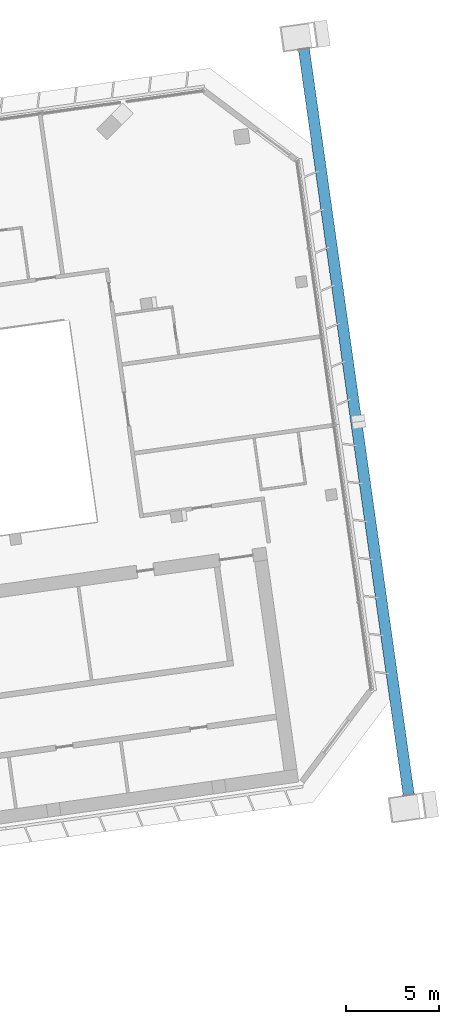
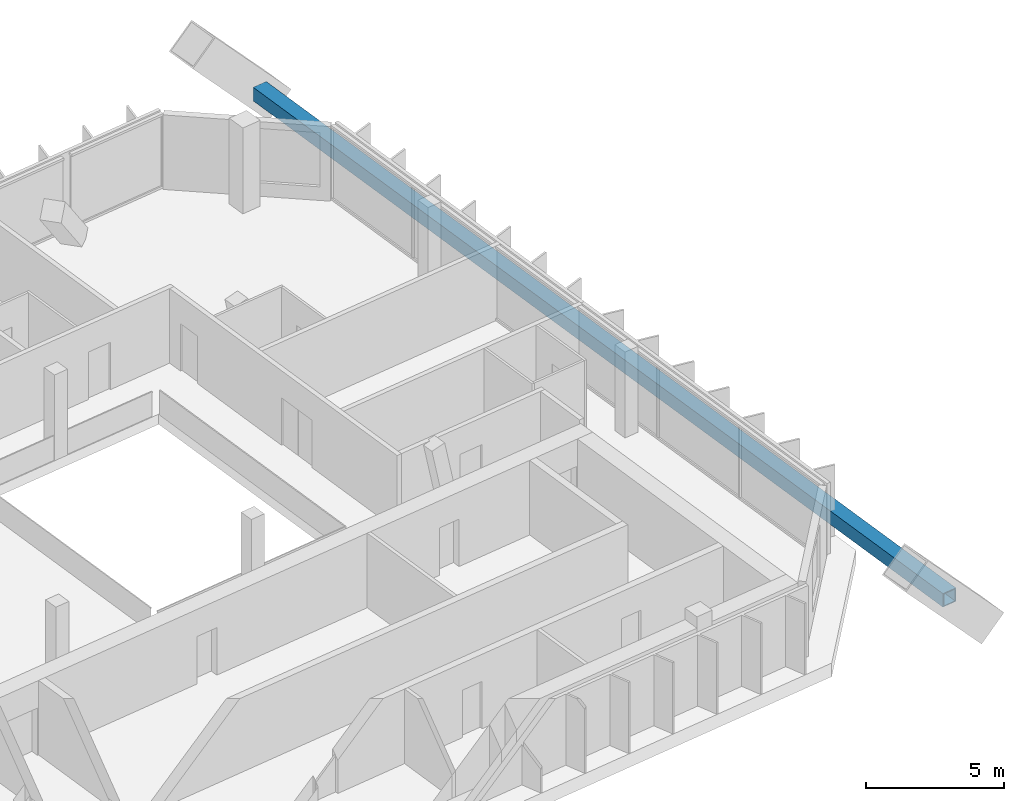
# One storey, part 11 of 29: 1 member.
"""IFC4 building model written with IfcOpenShell, lengths in metres."""

from ifc_helpers import new_model, si_unit, direction, frame, origin, origin_2d, place, context, subcontext, project, spatial, hollow_rectangle, extrude, material, material_profile, profile_set, type_object, element, save


model = new_model("IFC4")

# Units and contexts
model_context = context("Model", 3, precision=1e-05, world=origin(), true_north=direction((0.0, 1.0)))
body_context = subcontext(model_context, "Body", "Model", "MODEL_VIEW")
ifc_project = project(units=[si_unit("LENGTHUNIT", "METRE"), si_unit("AREAUNIT", "SQUARE_METRE"), si_unit("VOLUMEUNIT", "CUBIC_METRE"), si_unit("PLANEANGLEUNIT", "RADIAN"), si_unit("MASSUNIT", "GRAM", prefix="KILO")], contexts=[model_context])

# Site, building, storey
site_placement = place(None, origin())
site = spatial("IfcSite", under=ifc_project, at=site_placement, CompositionType="ELEMENT")
building_placement = place(site_placement, origin())
building = spatial("IfcBuilding", under=site, at=building_placement, Name="Mirante Cascada Hotel Towers", CompositionType="ELEMENT")
storey_placement = place(building_placement, frame((0.0, 0.0, 206.8)))
storey = spatial("IfcBuildingStorey", under=building, at=storey_placement, Name="L49", CompositionType="ELEMENT", Elevation=206.8)

# Member
ifc_material = material(Name="Steel ASTM A572 Gr 50", Category="steel")
ifc_material_profile = material_profile(ifc_material, hollow_rectangle(XDim=0.6, YDim=0.6, WallThickness=0.04, at=origin_2d()), Name="Box chord 600x600x40 ASTM A572 Gr 50")
ifc_profile_set = profile_set([ifc_material_profile], Name="Steel ASTM A572 Gr 50")
member_type = type_object("IfcMemberType", Name="Box chord 600x600x40 ASTM A572 Gr 50", PredefinedType="CHORD", material=ifc_profile_set)
member_placement = place(storey_placement, frame((87.3736, -14.4564, 1.0), z_axis=(-0.1391732, 0.9902681, 0.0), x_axis=(-0.9902681, -0.1391732, 0.0)))
element("IfcMember", 1, at=member_placement, inside=storey, type_object=member_type, Name="exochord T2 L49 1", PredefinedType="CHORD", context=body_context, shape_type="SweptSolid", body=[
    extrude(hollow_rectangle(XDim=0.6, YDim=0.6, WallThickness=0.04, at=origin_2d()), origin(), (0.0, 0.0, 1.0), 40.64),
])

save(model, "model.ifc")
